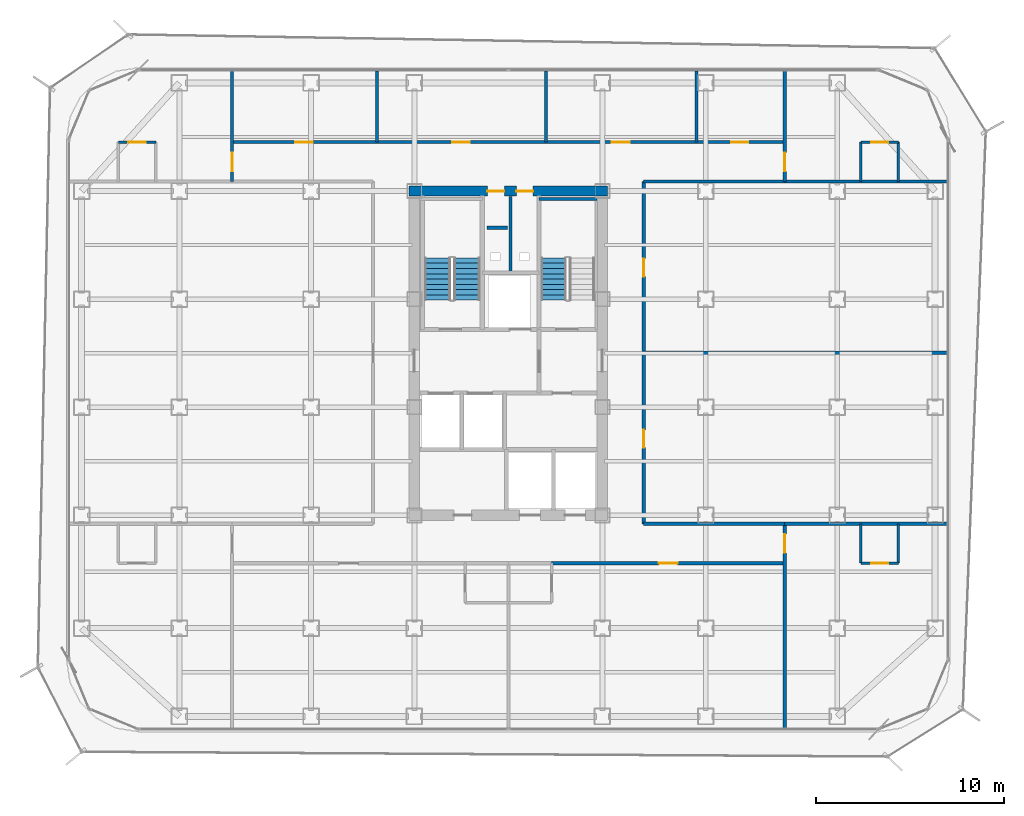
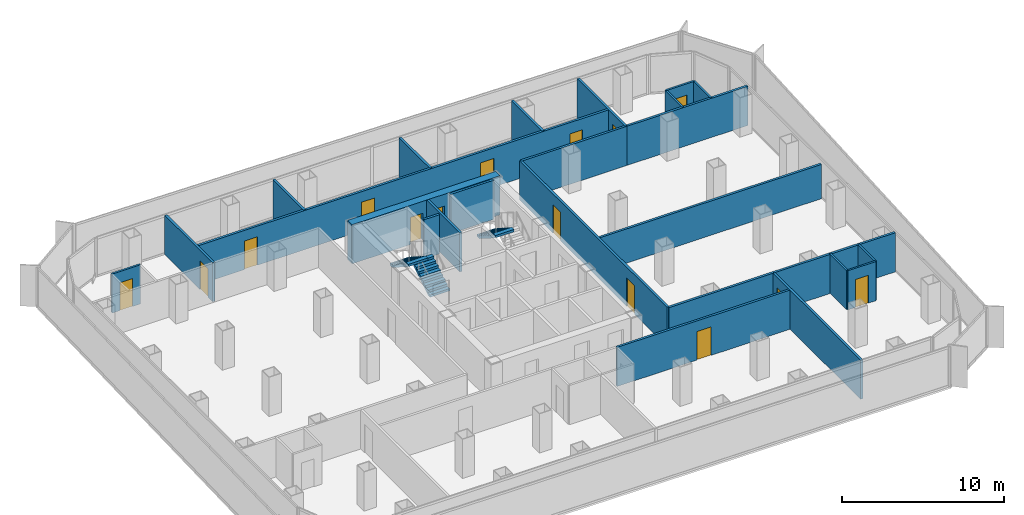
# One storey, part 17 of 21: 25 walls, 15 doors, 3 stair flights, 15 openings, 2 elements without a shape of their own.
"""IFC4 building model written with IfcOpenShell, lengths in metres."""

from ifc_helpers import new_model, si_unit, direction, frame, frame_2d, origin, place, context, subcontext, project, spatial, polyline, rectangle, outline, extrude, material, layer, layer_set, type_object, element, fill, aggregate, save


model = new_model("IFC4")

# Units and contexts
model_context = context("Model", 3, precision=1e-05, world=origin(), true_north=direction((0.0, 1.0)))
body_context = subcontext(model_context, "Body", "Model", "MODEL_VIEW")
ifc_project = project(units=[si_unit("LENGTHUNIT", "METRE"), si_unit("AREAUNIT", "SQUARE_METRE"), si_unit("VOLUMEUNIT", "CUBIC_METRE"), si_unit("PLANEANGLEUNIT", "RADIAN"), si_unit("MASSUNIT", "GRAM", prefix="KILO")], contexts=[model_context])

# Site, building, storey
site_placement = place(None, origin())
site = spatial("IfcSite", under=ifc_project, at=site_placement, CompositionType="ELEMENT")
building_placement = place(site_placement, origin())
building = spatial("IfcBuilding", under=site, at=building_placement, Name="Kolveth Station Tower", CompositionType="ELEMENT")
storey_placement = place(building_placement, frame((0.0, 0.0, 137.5)))
storey = spatial("IfcBuildingStorey", under=building, at=storey_placement, Name="L38", CompositionType="ELEMENT", Elevation=137.5)

# Wall, openings, doors
ifc_material_1 = material(Name="Concrete C60/75", Category="concrete")
ifc_layer_1 = layer(ifc_material_1, 0.550048828125)
ifc_layer_set_1 = layer_set([ifc_layer_1], Name="Concrete C60/75")
wall_type_1 = type_object("IfcWallType", Name="Wall_CW-550", PredefinedType="SHEAR", material=ifc_layer_set_1)
wall_1_placement = place(storey_placement, frame((18.22509765625, 28.75, 0.0), z_axis=(0.0, 0.0, 1.0), x_axis=(1.0, 0.0, 0.0)))
wall_1 = element("IfcWall", 1, at=wall_1_placement, inside=storey, type_object=wall_type_1, Name="L38 Core RC Shear Wall N", PredefinedType="SHEAR", context=body_context, shape_type="SweptSolid", body=[
    extrude(rectangle(XDim=10.5498046875, YDim=0.550048828125, at=frame_2d((5.27490234375, 0.0))), origin(), (0.0, 0.0, 1.0), 2.949951171875),
])
opening_1_placement = place(wall_1_placement, frame((4.155029296875, 0.0, 0.0)))
opening_1 = element("IfcOpeningElement", 2, at=opening_1_placement, cuts=wall_1, Name="Opening RD1", PredefinedType="OPENING", context=body_context, shape_type="SweptSolid", body=[
    extrude(rectangle(XDim=0.89990234375, YDim=2.050048828125, at=frame_2d((0.449951171875, 1.02490234375))), frame((0.0, 0.284912109375, 0.0), z_axis=(0.0, -1.0, 0.0), x_axis=(1.0, 0.0, 0.0)), (0.0, 0.0, 1.0), 0.570068359375),
])
opening_2_placement = place(wall_1_placement, frame((5.695068359375, 0.0, 0.0)))
opening_2 = element("IfcOpeningElement", 3, at=opening_2_placement, cuts=wall_1, Name="Opening RD1", PredefinedType="OPENING", context=body_context, shape_type="SweptSolid", body=[
    extrude(rectangle(XDim=0.89990234375, YDim=2.050048828125, at=frame_2d((0.449951171875, 1.02490234375))), frame((0.0, 0.284912109375, 0.0), z_axis=(0.0, -1.0, 0.0), x_axis=(1.0, 0.0, 0.0)), (0.0, 0.0, 1.0), 0.570068359375),
])
ifc_material_2 = material(Name="Fire-rated Steel S355 riser access leaf", Category="steel")
door_type_1 = type_object("IfcDoorType", Name="Door_RD1", OperationType="NOTDEFINED", PredefinedType="DOOR", material=ifc_material_2)
door_1_placement = place(opening_1_placement, origin())
door_1 = element("IfcDoor", 4, at=door_1_placement, inside=storey, type_object=door_type_1, Name="L38 Electrical Riser Access Door", OperationType="SINGLE_SWING_LEFT", OverallHeight=2.050048828125, OverallWidth=0.89990234375, PredefinedType="DOOR", context=body_context, shape_type="SweptSolid", body=[
    extrude(rectangle(XDim=0.89990234375, YDim=2.050048828125, at=frame_2d((0.449951171875, 1.02490234375))), frame((0.0, 0.02490234375, 0.0), z_axis=(0.0, -1.0, 0.0), x_axis=(1.0, 0.0, 0.0)), (0.0, 0.0, 1.0), 0.050048828125),
])
fill(opening_1, door_1)
door_2_placement = place(opening_2_placement, origin())
door_2 = element("IfcDoor", 5, at=door_2_placement, inside=storey, type_object=door_type_1, Name="L38 Smoke Duct Access Door", OperationType="SINGLE_SWING_RIGHT", OverallHeight=2.050048828125, OverallWidth=0.89990234375, PredefinedType="DOOR", context=body_context, shape_type="SweptSolid", body=[
    extrude(rectangle(XDim=0.89990234375, YDim=2.050048828125, at=frame_2d((0.449951171875, 1.02490234375))), frame((0.0, 0.02490234375, 0.0), z_axis=(0.0, -1.0, 0.0), x_axis=(1.0, 0.0, 0.0)), (0.0, 0.0, 1.0), 0.050048828125),
])
fill(opening_2, door_2)

# Wall, opening, door
ifc_material_3 = material(Name="Moisture-resistant gypsum partition")
ifc_layer_2 = layer(ifc_material_3, 0.135009765625)
ifc_layer_set_2 = layer_set([ifc_layer_2], Name="Moisture-resistant gypsum partition")
wall_type_2 = type_object("IfcWallType", Name="Wall_IW-135", PredefinedType="PARTITIONING", material=ifc_layer_set_2)
wall_2_placement = place(storey_placement, frame((2.75, 31.35009765625, 0.0), z_axis=(0.0, 0.0, 1.0), x_axis=(1.0, 0.0, 0.0)))
wall_2 = element("IfcWall", 6, at=wall_2_placement, inside=storey, type_object=wall_type_2, Name="L38 Partition Wall WL-L38-WS2-BH", PredefinedType="PARTITIONING", context=body_context, shape_type="SweptSolid", body=[
    extrude(rectangle(XDim=2.0, YDim=0.135009765625, at=frame_2d((1.0, 0.0))), origin(), (0.0, 0.0, 1.0), 2.949951171875),
])
opening_3_placement = place(wall_2_placement, frame((0.5400390625, 0.0, 0.0)))
opening_3 = element("IfcOpeningElement", 7, at=opening_3_placement, cuts=wall_2, Name="Opening ID2", PredefinedType="OPENING", context=body_context, shape_type="SweptSolid", body=[
    extrude(rectangle(XDim=0.919921875, YDim=2.10009765625, at=frame_2d((0.4599609375, 1.050048828125))), frame((0.0, 0.077392578125, 0.0), z_axis=(0.0, -1.0, 0.0), x_axis=(1.0, 0.0, 0.0)), (0.0, 0.0, 1.0), 0.155029296875),
])
ifc_material_4 = material(Name="Moisture-resistant hardwood leaf", Category="wood")
door_type_2 = type_object("IfcDoorType", Name="Door_ID2", OperationType="NOTDEFINED", PredefinedType="DOOR", material=ifc_material_4)
door_3_placement = place(opening_3_placement, frame((0.919921875, 0.0, 0.0), z_axis=(0.0, 0.0, 1.0), x_axis=(-1.0, 0.0, 0.0)))
door_3 = element("IfcDoor", 8, at=door_3_placement, inside=storey, type_object=door_type_2, Name="L38 Hotel Guest Room WS2 En-Suite Door", OperationType="SINGLE_SWING_LEFT", OverallHeight=2.10009765625, OverallWidth=0.919921875, PredefinedType="DOOR", context=body_context, shape_type="SweptSolid", body=[
    extrude(rectangle(XDim=0.919921875, YDim=2.10009765625, at=frame_2d((0.4599609375, 1.050048828125))), frame((0.0, 0.02490234375, 0.0), z_axis=(0.0, -1.0, 0.0), x_axis=(1.0, 0.0, 0.0)), (0.0, 0.0, 1.0), 0.050048828125),
])
fill(opening_3, door_3)

# Walls
for number, where, z_axis, x_axis, name in (
    (9, (42.25, 8.949951171875, 0.0), (0.0, 0.0, 1.0), (0.0, 1.0, 0.0), "L38 Partition Wall WL-L38-ES1-BV1"),
    (10, (44.25, 8.949951171875, 0.0), (0.0, 0.0, 1.0), (0.0, 1.0, 0.0), "L38 Partition Wall WL-L38-ES1-BV2"),
):
    element("IfcWall", number, at=place(storey_placement, frame(where, z_axis=z_axis, x_axis=x_axis)), inside=storey, type_object=wall_type_2, Name=name, PredefinedType="PARTITIONING", context=body_context, shape_type="SweptSolid", body=[
        extrude(rectangle(XDim=2.10009765625, YDim=0.135009765625, at=frame_2d((1.050048828125, 0.0))), origin(), (0.0, 0.0, 1.0), 2.949951171875),
    ])

# Wall, opening, door
wall_3_placement = place(storey_placement, frame((42.25, 8.949951171875, 0.0), z_axis=(0.0, 0.0, 1.0), x_axis=(1.0, 0.0, 0.0)))
wall_3 = element("IfcWall", 11, at=wall_3_placement, inside=storey, type_object=wall_type_2, Name="L38 Partition Wall WL-L38-ES1-BH", PredefinedType="PARTITIONING", context=body_context, shape_type="SweptSolid", body=[
    extrude(rectangle(XDim=2.0, YDim=0.135009765625, at=frame_2d((1.0, 0.0))), origin(), (0.0, 0.0, 1.0), 2.949951171875),
])
opening_4_placement = place(wall_3_placement, frame((0.5400390625, 0.0, 0.0)))
opening_4 = element("IfcOpeningElement", 12, at=opening_4_placement, cuts=wall_3, Name="Opening ID2", PredefinedType="OPENING", context=body_context, shape_type="SweptSolid", body=[
    extrude(rectangle(XDim=0.919921875, YDim=2.10009765625, at=frame_2d((0.4599609375, 1.050048828125))), frame((0.0, 0.077392578125, 0.0), z_axis=(0.0, -1.0, 0.0), x_axis=(1.0, 0.0, 0.0)), (0.0, 0.0, 1.0), 0.155029296875),
])
door_4_placement = place(opening_4_placement, origin())
door_4 = element("IfcDoor", 13, at=door_4_placement, inside=storey, type_object=door_type_2, Name="L38 Hotel Corner Suite ES1 En-Suite Door", OperationType="SINGLE_SWING_RIGHT", OverallHeight=2.10009765625, OverallWidth=0.919921875, PredefinedType="DOOR", context=body_context, shape_type="SweptSolid", body=[
    extrude(rectangle(XDim=0.919921875, YDim=2.10009765625, at=frame_2d((0.4599609375, 1.050048828125))), frame((0.0, 0.02490234375, 0.0), z_axis=(0.0, -1.0, 0.0), x_axis=(1.0, 0.0, 0.0)), (0.0, 0.0, 1.0), 0.050048828125),
])
fill(opening_4, door_4)

# Walls
for number, where, z_axis, x_axis, name in (
    (14, (42.25, 29.25, 0.0), (0.0, 0.0, 1.0), (0.0, 1.0, 0.0), "L38 Partition Wall WL-L38-ES2-BV1"),
    (15, (44.25, 29.25, 0.0), (0.0, 0.0, 1.0), (0.0, 1.0, 0.0), "L38 Partition Wall WL-L38-ES2-BV2"),
):
    element("IfcWall", number, at=place(storey_placement, frame(where, z_axis=z_axis, x_axis=x_axis)), inside=storey, type_object=wall_type_2, Name=name, PredefinedType="PARTITIONING", context=body_context, shape_type="SweptSolid", body=[
        extrude(rectangle(XDim=2.10009765625, YDim=0.135009765625, at=frame_2d((1.050048828125, 0.0))), origin(), (0.0, 0.0, 1.0), 2.949951171875),
    ])

# Wall, opening, door
wall_4_placement = place(storey_placement, frame((42.25, 31.35009765625, 0.0), z_axis=(0.0, 0.0, 1.0), x_axis=(1.0, 0.0, 0.0)))
wall_4 = element("IfcWall", 16, at=wall_4_placement, inside=storey, type_object=wall_type_2, Name="L38 Partition Wall WL-L38-ES2-BH", PredefinedType="PARTITIONING", context=body_context, shape_type="SweptSolid", body=[
    extrude(rectangle(XDim=2.0, YDim=0.135009765625, at=frame_2d((1.0, 0.0))), origin(), (0.0, 0.0, 1.0), 2.949951171875),
])
opening_5_placement = place(wall_4_placement, frame((0.5400390625, 0.0, 0.0)))
opening_5 = element("IfcOpeningElement", 17, at=opening_5_placement, cuts=wall_4, Name="Opening ID2", PredefinedType="OPENING", context=body_context, shape_type="SweptSolid", body=[
    extrude(rectangle(XDim=0.919921875, YDim=2.10009765625, at=frame_2d((0.4599609375, 1.050048828125))), frame((0.0, 0.077392578125, 0.0), z_axis=(0.0, -1.0, 0.0), x_axis=(1.0, 0.0, 0.0)), (0.0, 0.0, 1.0), 0.155029296875),
])
door_5_placement = place(opening_5_placement, frame((0.919921875, 0.0, 0.0), z_axis=(0.0, 0.0, 1.0), x_axis=(-1.0, 0.0, 0.0)))
door_5 = element("IfcDoor", 18, at=door_5_placement, inside=storey, type_object=door_type_2, Name="L38 Hotel Corner Suite ES2 En-Suite Door", OperationType="SINGLE_SWING_RIGHT", OverallHeight=2.10009765625, OverallWidth=0.919921875, PredefinedType="DOOR", context=body_context, shape_type="SweptSolid", body=[
    extrude(rectangle(XDim=0.919921875, YDim=2.10009765625, at=frame_2d((0.4599609375, 1.050048828125))), frame((0.0, 0.02490234375, 0.0), z_axis=(0.0, -1.0, 0.0), x_axis=(1.0, 0.0, 0.0)), (0.0, 0.0, 1.0), 0.050048828125),
])
fill(opening_5, door_5)

# Walls
ifc_material_5 = material(Name="Acoustic double-stud gypsum partition")
ifc_layer_3 = layer(ifc_material_5, 0.1650390625)
ifc_layer_set_3 = layer_set([ifc_layer_3], Name="Acoustic double-stud gypsum partition")
wall_type_3 = type_object("IfcWallType", Name="Wall_IW-165", PredefinedType="PARTITIONING", material=ifc_layer_set_3)
wall_5_placement = place(storey_placement, frame((25.1298828125, 28.3349609375, 0.0), z_axis=(0.0, 0.0, 1.0), x_axis=(1.0, 0.0, 0.0)))
element("IfcWall", 19, at=wall_5_placement, inside=storey, type_object=wall_type_3, Name="L38 Stair Shaft Wall WL-L38-ST2-N", PredefinedType="PARTITIONING", context=body_context, shape_type="SweptSolid", body=[
    extrude(rectangle(XDim=3.085205078125, YDim=0.1650390625, at=frame_2d((1.54248046875, 0.0))), origin(), (0.0, 0.0, 1.0), 2.949951171875),
])
wall_6_placement = place(storey_placement, frame((23.6201171875, 24.39990234375, 0.0), z_axis=(0.0, 0.0, 1.0), x_axis=(0.0, 1.0, 0.0)))
element("IfcWall", 20, at=wall_6_placement, inside=storey, type_object=wall_type_3, Name="L38 Partition Wall WL-L38-RSR-M", PredefinedType="PARTITIONING", context=body_context, shape_type="SweptSolid", body=[
    extrude(rectangle(XDim=4.065185546875, YDim=0.1650390625, at=frame_2d((2.03271484375, 0.0))), origin(), (0.0, 0.0, 1.0), 2.949951171875),
])

# Wall, openings, doors
wall_7_placement = place(storey_placement, frame((8.800048828125, 31.35009765625, 0.0), z_axis=(0.0, 0.0, 1.0), x_axis=(1.0, 0.0, 0.0)))
wall_7 = element("IfcWall", 21, at=wall_7_placement, inside=storey, type_object=wall_type_3, Name="L38 Partition Wall WL-L38-HN", PredefinedType="PARTITIONING", context=body_context, shape_type="SweptSolid", body=[
    extrude(rectangle(XDim=29.39990234375, YDim=0.1650390625, at=frame_2d((14.699951171875, 0.0))), origin(), (0.0, 0.0, 1.0), 2.949951171875),
])
opening_6_placement = place(wall_7_placement, frame((3.35009765625, 0.0, 0.0)))
opening_6 = element("IfcOpeningElement", 22, at=opening_6_placement, cuts=wall_7, Name="Opening ID1", PredefinedType="OPENING", context=body_context, shape_type="SweptSolid", body=[
    extrude(rectangle(XDim=0.949951171875, YDim=2.14990234375, at=frame_2d((0.47509765625, 1.074951171875))), frame((0.0, 0.092529296875, 0.0), z_axis=(0.0, -1.0, 0.0), x_axis=(1.0, 0.0, 0.0)), (0.0, 0.0, 1.0), 0.18505859375),
])
opening_7_placement = place(wall_7_placement, frame((11.699951171875, 0.0, 0.0)))
opening_7 = element("IfcOpeningElement", 23, at=opening_7_placement, cuts=wall_7, Name="Opening ID1", PredefinedType="OPENING", context=body_context, shape_type="SweptSolid", body=[
    extrude(rectangle(XDim=0.949951171875, YDim=2.14990234375, at=frame_2d((0.47509765625, 1.074951171875))), frame((0.0, 0.092529296875, 0.0), z_axis=(0.0, -1.0, 0.0), x_axis=(1.0, 0.0, 0.0)), (0.0, 0.0, 1.0), 0.18505859375),
])
opening_8_placement = place(wall_7_placement, frame((20.199951171875, 0.0, 0.0)))
opening_8 = element("IfcOpeningElement", 24, at=opening_8_placement, cuts=wall_7, Name="Opening ID1", PredefinedType="OPENING", context=body_context, shape_type="SweptSolid", body=[
    extrude(rectangle(XDim=0.949951171875, YDim=2.14990234375, at=frame_2d((0.47509765625, 1.074951171875))), frame((0.0, 0.092529296875, 0.0), z_axis=(0.0, -1.0, 0.0), x_axis=(1.0, 0.0, 0.0)), (0.0, 0.0, 1.0), 0.18505859375),
])
opening_9_placement = place(wall_7_placement, frame((26.550048828125, 0.0, 0.0)))
opening_9 = element("IfcOpeningElement", 25, at=opening_9_placement, cuts=wall_7, Name="Opening ID2", PredefinedType="OPENING", context=body_context, shape_type="SweptSolid", body=[
    extrude(rectangle(XDim=0.919921875, YDim=2.10009765625, at=frame_2d((0.4599609375, 1.050048828125))), frame((0.0, 0.092529296875, 0.0), z_axis=(0.0, -1.0, 0.0), x_axis=(1.0, 0.0, 0.0)), (0.0, 0.0, 1.0), 0.18505859375),
])
ifc_material_6 = material(Name="Acoustic hardwood leaf and aluminium frame", Category="wood")
door_type_3 = type_object("IfcDoorType", Name="Door_ID1", OperationType="NOTDEFINED", PredefinedType="DOOR", material=ifc_material_6)
door_6_placement = place(opening_6_placement, origin())
door_6 = element("IfcDoor", 26, at=door_6_placement, inside=storey, type_object=door_type_3, Name="L38 Spa Wellness Suite A Door", OperationType="SINGLE_SWING_LEFT", OverallHeight=2.14990234375, OverallWidth=0.949951171875, PredefinedType="DOOR", context=body_context, shape_type="SweptSolid", body=[
    extrude(rectangle(XDim=0.949951171875, YDim=2.14990234375, at=frame_2d((0.47509765625, 1.074951171875))), frame((0.0, 0.02490234375, 0.0), z_axis=(0.0, -1.0, 0.0), x_axis=(1.0, 0.0, 0.0)), (0.0, 0.0, 1.0), 0.050048828125),
])
fill(opening_6, door_6)
door_7_placement = place(opening_7_placement, origin())
door_7 = element("IfcDoor", 27, at=door_7_placement, inside=storey, type_object=door_type_3, Name="L38 Spa Wellness Suite B Door", OperationType="SINGLE_SWING_LEFT", OverallHeight=2.14990234375, OverallWidth=0.949951171875, PredefinedType="DOOR", context=body_context, shape_type="SweptSolid", body=[
    extrude(rectangle(XDim=0.949951171875, YDim=2.14990234375, at=frame_2d((0.47509765625, 1.074951171875))), frame((0.0, 0.02490234375, 0.0), z_axis=(0.0, -1.0, 0.0), x_axis=(1.0, 0.0, 0.0)), (0.0, 0.0, 1.0), 0.050048828125),
])
fill(opening_7, door_7)
door_8_placement = place(opening_8_placement, origin())
door_8 = element("IfcDoor", 28, at=door_8_placement, inside=storey, type_object=door_type_3, Name="L38 Spa Hydrotherapy Room Door", OperationType="SINGLE_SWING_RIGHT", OverallHeight=2.14990234375, OverallWidth=0.949951171875, PredefinedType="DOOR", context=body_context, shape_type="SweptSolid", body=[
    extrude(rectangle(XDim=0.949951171875, YDim=2.14990234375, at=frame_2d((0.47509765625, 1.074951171875))), frame((0.0, 0.02490234375, 0.0), z_axis=(0.0, -1.0, 0.0), x_axis=(1.0, 0.0, 0.0)), (0.0, 0.0, 1.0), 0.050048828125),
])
fill(opening_8, door_8)
door_9_placement = place(opening_9_placement, origin())
door_9 = element("IfcDoor", 29, at=door_9_placement, inside=storey, type_object=door_type_2, Name="L38 Accessible Guest WC Door", OperationType="SINGLE_SWING_LEFT", OverallHeight=2.10009765625, OverallWidth=0.919921875, PredefinedType="DOOR", context=body_context, shape_type="SweptSolid", body=[
    extrude(rectangle(XDim=0.919921875, YDim=2.10009765625, at=frame_2d((0.4599609375, 1.050048828125))), frame((0.0, 0.02490234375, 0.0), z_axis=(0.0, -1.0, 0.0), x_axis=(1.0, 0.0, 0.0)), (0.0, 0.0, 1.0), 0.050048828125),
])
fill(opening_9, door_9)

# Walls
for number, where, z_axis, x_axis, name in (
    (30, (30.699951171875, 11.050048828125, 0.0), (0.0, 0.0, 1.0), (1.0, 0.0, 0.0), "L38 Partition Wall WL-L38-HSET"),
    (31, (30.699951171875, 29.25, 0.0), (0.0, 0.0, 1.0), (1.0, 0.0, 0.0), "L38 Partition Wall WL-L38-HNEB"),
):
    element("IfcWall", number, at=place(storey_placement, frame(where, z_axis=z_axis, x_axis=x_axis)), inside=storey, type_object=wall_type_3, Name=name, PredefinedType="PARTITIONING", context=body_context, shape_type="SweptSolid", body=[
        extrude(rectangle(XDim=7.5, YDim=0.1650390625, at=frame_2d((3.75, 0.0))), origin(), (0.0, 0.0, 1.0), 2.949951171875),
    ])

# Wall, openings, doors
wall_8_placement = place(storey_placement, frame((30.699951171875, 11.050048828125, 0.0), z_axis=(0.0, 0.0, 1.0), x_axis=(0.0, 1.0, 0.0)))
wall_8 = element("IfcWall", 32, at=wall_8_placement, inside=storey, type_object=wall_type_3, Name="L38 Partition Wall WL-L38-HE", PredefinedType="PARTITIONING", context=body_context, shape_type="SweptSolid", body=[
    extrude(rectangle(XDim=18.199951171875, YDim=0.1650390625, at=frame_2d((9.10009765625, 0.0))), origin(), (0.0, 0.0, 1.0), 2.949951171875),
])
opening_10_placement = place(wall_8_placement, frame((4.050048828125, 0.0, 0.0)))
opening_10 = element("IfcOpeningElement", 33, at=opening_10_placement, cuts=wall_8, Name="Opening ID1", PredefinedType="OPENING", context=body_context, shape_type="SweptSolid", body=[
    extrude(rectangle(XDim=0.949951171875, YDim=2.14990234375, at=frame_2d((0.47509765625, 1.074951171875))), frame((0.0, 0.092529296875, 0.0), z_axis=(0.0, -1.0, 0.0), x_axis=(1.0, 0.0, 0.0)), (0.0, 0.0, 1.0), 0.18505859375),
])
opening_11_placement = place(wall_8_placement, frame((13.14990234375, 0.0, 0.0)))
opening_11 = element("IfcOpeningElement", 34, at=opening_11_placement, cuts=wall_8, Name="Opening ID1", PredefinedType="OPENING", context=body_context, shape_type="SweptSolid", body=[
    extrude(rectangle(XDim=0.949951171875, YDim=2.14990234375, at=frame_2d((0.47509765625, 1.074951171875))), frame((0.0, 0.092529296875, 0.0), z_axis=(0.0, -1.0, 0.0), x_axis=(1.0, 0.0, 0.0)), (0.0, 0.0, 1.0), 0.18505859375),
])
door_10_placement = place(opening_10_placement, origin())
door_10 = element("IfcDoor", 35, at=door_10_placement, inside=storey, type_object=door_type_3, Name="L38 Guest Study East Door", OperationType="SINGLE_SWING_LEFT", OverallHeight=2.14990234375, OverallWidth=0.949951171875, PredefinedType="DOOR", context=body_context, shape_type="SweptSolid", body=[
    extrude(rectangle(XDim=0.949951171875, YDim=2.14990234375, at=frame_2d((0.47509765625, 1.074951171875))), frame((0.0, 0.02490234375, 0.0), z_axis=(0.0, -1.0, 0.0), x_axis=(1.0, 0.0, 0.0)), (0.0, 0.0, 1.0), 0.050048828125),
])
fill(opening_10, door_10)
door_11_placement = place(opening_11_placement, origin())
door_11 = element("IfcDoor", 36, at=door_11_placement, inside=storey, type_object=door_type_3, Name="L38 Hotel Guest Lounge Door", OperationType="SINGLE_SWING_RIGHT", OverallHeight=2.14990234375, OverallWidth=0.949951171875, PredefinedType="DOOR", context=body_context, shape_type="SweptSolid", body=[
    extrude(rectangle(XDim=0.949951171875, YDim=2.14990234375, at=frame_2d((0.47509765625, 1.074951171875))), frame((0.0, 0.02490234375, 0.0), z_axis=(0.0, -1.0, 0.0), x_axis=(1.0, 0.0, 0.0)), (0.0, 0.0, 1.0), 0.050048828125),
])
fill(opening_11, door_11)

# Wall, opening, door
wall_9_placement = place(storey_placement, frame((8.800048828125, 29.25, 0.0), z_axis=(0.0, 0.0, 1.0), x_axis=(0.0, 1.0, 0.0)))
wall_9 = element("IfcWall", 37, at=wall_9_placement, inside=storey, type_object=wall_type_3, Name="L38 Partition Wall WL-L38-END-WN", PredefinedType="PARTITIONING", context=body_context, shape_type="SweptSolid", body=[
    extrude(rectangle(XDim=5.889892578125, YDim=0.1650390625, at=frame_2d((2.94482421875, 0.0))), origin(), (0.0, 0.0, 1.0), 2.949951171875),
])
opening_12_placement = place(wall_9_placement, frame((0.550048828125, 0.0, 0.0)))
opening_12 = element("IfcOpeningElement", 38, at=opening_12_placement, cuts=wall_9, Name="Opening FD3", PredefinedType="OPENING", context=body_context, shape_type="SweptSolid", body=[
    extrude(rectangle(XDim=1.0, YDim=2.14990234375, at=frame_2d((0.5, 1.074951171875))), frame((0.0, 0.092529296875, 0.0), z_axis=(0.0, -1.0, 0.0), x_axis=(1.0, 0.0, 0.0)), (0.0, 0.0, 1.0), 0.18505859375),
])
ifc_material_7 = material(Name="Fire-rated hardwood leaf and aluminium frame", Category="wood")
door_type_4 = type_object("IfcDoorType", Name="Door_FD3", OperationType="NOTDEFINED", PredefinedType="DOOR", material=ifc_material_7)
door_12_placement = place(opening_12_placement, origin())
door_12 = element("IfcDoor", 39, at=door_12_placement, inside=storey, type_object=door_type_4, Name="L38 Hotel Guest Room WS2 Entrance Door", OperationType="SINGLE_SWING_LEFT", OverallHeight=2.14990234375, OverallWidth=1.0, PredefinedType="DOOR", context=body_context, shape_type="SweptSolid", body=[
    extrude(rectangle(XDim=1.0, YDim=2.14990234375, at=frame_2d((0.5, 1.074951171875))), frame((0.0, 0.02490234375, 0.0), z_axis=(0.0, -1.0, 0.0), x_axis=(1.0, 0.0, 0.0)), (0.0, 0.0, 1.0), 0.050048828125),
])
fill(opening_12, door_12)

wall_10_placement = place(storey_placement, frame((38.199951171875, 0.159912109375, 0.0), z_axis=(0.0, 0.0, 1.0), x_axis=(0.0, 1.0, 0.0)))
wall_10 = element("IfcWall", 40, at=wall_10_placement, inside=storey, type_object=wall_type_3, Name="L38 Partition Wall WL-L38-END-ES", PredefinedType="PARTITIONING", context=body_context, shape_type="SweptSolid", body=[
    extrude(rectangle(XDim=10.89013671875, YDim=0.1650390625, at=frame_2d((5.445068359375, 0.0))), origin(), (0.0, 0.0, 1.0), 2.949951171875),
])
opening_13_placement = place(wall_10_placement, frame((9.340087890625, 0.0, 0.0)))
opening_13 = element("IfcOpeningElement", 41, at=opening_13_placement, cuts=wall_10, Name="Opening FD3", PredefinedType="OPENING", context=body_context, shape_type="SweptSolid", body=[
    extrude(rectangle(XDim=1.0, YDim=2.14990234375, at=frame_2d((0.5, 1.074951171875))), frame((0.0, 0.092529296875, 0.0), z_axis=(0.0, -1.0, 0.0), x_axis=(1.0, 0.0, 0.0)), (0.0, 0.0, 1.0), 0.18505859375),
])
door_13_placement = place(opening_13_placement, frame((1.0, 0.0, 0.0), z_axis=(0.0, 0.0, 1.0), x_axis=(-1.0, 0.0, 0.0)))
door_13 = element("IfcDoor", 42, at=door_13_placement, inside=storey, type_object=door_type_4, Name="L38 Hotel Corner Suite ES1 Entrance Door", OperationType="SINGLE_SWING_LEFT", OverallHeight=2.14990234375, OverallWidth=1.0, PredefinedType="DOOR", context=body_context, shape_type="SweptSolid", body=[
    extrude(rectangle(XDim=1.0, YDim=2.14990234375, at=frame_2d((0.5, 1.074951171875))), frame((0.0, 0.02490234375, 0.0), z_axis=(0.0, -1.0, 0.0), x_axis=(1.0, 0.0, 0.0)), (0.0, 0.0, 1.0), 0.050048828125),
])
fill(opening_13, door_13)

wall_11_placement = place(storey_placement, frame((38.199951171875, 29.25, 0.0), z_axis=(0.0, 0.0, 1.0), x_axis=(0.0, 1.0, 0.0)))
wall_11 = element("IfcWall", 43, at=wall_11_placement, inside=storey, type_object=wall_type_3, Name="L38 Partition Wall WL-L38-END-EN", PredefinedType="PARTITIONING", context=body_context, shape_type="SweptSolid", body=[
    extrude(rectangle(XDim=5.889892578125, YDim=0.1650390625, at=frame_2d((2.94482421875, 0.0))), origin(), (0.0, 0.0, 1.0), 2.949951171875),
])
opening_14_placement = place(wall_11_placement, frame((0.550048828125, 0.0, 0.0)))
opening_14 = element("IfcOpeningElement", 44, at=opening_14_placement, cuts=wall_11, Name="Opening FD3", PredefinedType="OPENING", context=body_context, shape_type="SweptSolid", body=[
    extrude(rectangle(XDim=1.0, YDim=2.14990234375, at=frame_2d((0.5, 1.074951171875))), frame((0.0, 0.092529296875, 0.0), z_axis=(0.0, -1.0, 0.0), x_axis=(1.0, 0.0, 0.0)), (0.0, 0.0, 1.0), 0.18505859375),
])
door_14_placement = place(opening_14_placement, frame((1.0, 0.0, 0.0), z_axis=(0.0, 0.0, 1.0), x_axis=(-1.0, 0.0, 0.0)))
door_14 = element("IfcDoor", 45, at=door_14_placement, inside=storey, type_object=door_type_4, Name="L38 Hotel Corner Suite ES2 Entrance Door", OperationType="SINGLE_SWING_LEFT", OverallHeight=2.14990234375, OverallWidth=1.0, PredefinedType="DOOR", context=body_context, shape_type="SweptSolid", body=[
    extrude(rectangle(XDim=1.0, YDim=2.14990234375, at=frame_2d((0.5, 1.074951171875))), frame((0.0, 0.02490234375, 0.0), z_axis=(0.0, -1.0, 0.0), x_axis=(1.0, 0.0, 0.0)), (0.0, 0.0, 1.0), 0.050048828125),
])
fill(opening_14, door_14)

# Walls
for number, where, z_axis, x_axis, name in (
    (46, (38.199951171875, 11.050048828125, 0.0), (0.0, 0.0, 1.0), (1.0, 0.0, 0.0), "L38 Partition Wall WL-L38-EM1"),
    (47, (38.199951171875, 29.25, 0.0), (0.0, 0.0, 1.0), (1.0, 0.0, 0.0), "L38 Partition Wall WL-L38-EM2"),
):
    element("IfcWall", number, at=place(storey_placement, frame(where, z_axis=z_axis, x_axis=x_axis)), inside=storey, type_object=wall_type_3, Name=name, PredefinedType="PARTITIONING", context=body_context, shape_type="SweptSolid", body=[
        extrude(rectangle(XDim=8.64013671875, YDim=0.1650390625, at=frame_2d((4.320068359375, 0.0))), origin(), (0.0, 0.0, 1.0), 2.949951171875),
    ])

# Wall, opening, door
wall_12_placement = place(storey_placement, frame((25.800048828125, 8.949951171875, 0.0), z_axis=(0.0, 0.0, 1.0), x_axis=(1.0, 0.0, 0.0)))
wall_12 = element("IfcWall", 48, at=wall_12_placement, inside=storey, type_object=wall_type_3, Name="L38 Partition Wall WL-L38-HS2-RCOR", PredefinedType="PARTITIONING", context=body_context, shape_type="SweptSolid", body=[
    extrude(rectangle(XDim=12.39990234375, YDim=0.1650390625, at=frame_2d((6.199951171875, 0.0))), origin(), (0.0, 0.0, 1.0), 2.949951171875),
])
opening_15_placement = place(wall_12_placement, frame((5.699951171875, 0.0, 0.0)))
opening_15 = element("IfcOpeningElement", 49, at=opening_15_placement, cuts=wall_12, Name="Opening FD3", PredefinedType="OPENING", context=body_context, shape_type="SweptSolid", body=[
    extrude(rectangle(XDim=1.0, YDim=2.14990234375, at=frame_2d((0.5, 1.074951171875))), frame((0.0, 0.092529296875, 0.0), z_axis=(0.0, -1.0, 0.0), x_axis=(1.0, 0.0, 0.0)), (0.0, 0.0, 1.0), 0.18505859375),
])
door_15_placement = place(opening_15_placement, frame((1.0, 0.0, 0.0), z_axis=(0.0, 0.0, 1.0), x_axis=(-1.0, 0.0, 0.0)))
door_15 = element("IfcDoor", 50, at=door_15_placement, inside=storey, type_object=door_type_4, Name="L38 Hotel Corner Suite HS2 Entrance Door", OperationType="SINGLE_SWING_LEFT", OverallHeight=2.14990234375, OverallWidth=1.0, PredefinedType="DOOR", context=body_context, shape_type="SweptSolid", body=[
    extrude(rectangle(XDim=1.0, YDim=2.14990234375, at=frame_2d((0.5, 1.074951171875))), frame((0.0, 0.02490234375, 0.0), z_axis=(0.0, -1.0, 0.0), x_axis=(1.0, 0.0, 0.0)), (0.0, 0.0, 1.0), 0.050048828125),
])
fill(opening_15, door_15)

# Walls
for number, where, z_axis, x_axis, name in (
    (51, (16.5, 31.35009765625, 0.0), (0.0, 0.0, 1.0), (0.0, 1.0, 0.0), "L38 Partition Wall WL-L38-HN-P1"),
    (52, (25.5, 31.35009765625, 0.0), (0.0, 0.0, 1.0), (0.0, 1.0, 0.0), "L38 Partition Wall WL-L38-HN-P2"),
    (53, (33.5, 31.35009765625, 0.0), (0.0, 0.0, 1.0), (0.0, 1.0, 0.0), "L38 Partition Wall WL-L38-HN-P3"),
):
    element("IfcWall", number, at=place(storey_placement, frame(where, z_axis=z_axis, x_axis=x_axis)), inside=storey, type_object=wall_type_3, Name=name, PredefinedType="PARTITIONING", context=body_context, shape_type="SweptSolid", body=[
        extrude(rectangle(XDim=3.789794921875, YDim=0.1650390625, at=frame_2d((1.89501953125, 0.0))), origin(), (0.0, 0.0, 1.0), 2.949951171875),
    ])
wall_13_placement = place(storey_placement, frame((30.699951171875, 20.14990234375, 0.0), z_axis=(0.0, 0.0, 1.0), x_axis=(1.0, 0.0, 0.0)))
element("IfcWall", 54, at=wall_13_placement, inside=storey, type_object=wall_type_3, Name="L38 Partition Wall WL-L38-HME-P1", PredefinedType="PARTITIONING", context=body_context, shape_type="SweptSolid", body=[
    extrude(rectangle(XDim=16.14013671875, YDim=0.1650390625, at=frame_2d((8.070068359375, 0.0))), origin(), (0.0, 0.0, 1.0), 2.5830078125),
])
wall_14_placement = place(storey_placement, frame((22.35009765625, 26.800048828125, 0.0), z_axis=(0.0, 0.0, 1.0), x_axis=(1.0, 0.0, 0.0)))
element("IfcWall", 55, at=wall_14_placement, inside=storey, type_object=wall_type_3, Name="L38 Acoustic Riser Dry-Lining Wall", PredefinedType="PARTITIONING", context=body_context, shape_type="SweptSolid", body=[
    extrude(rectangle(XDim=1.099853515625, YDim=0.1650390625, at=frame_2d((0.5498046875, 0.0))), origin(), (0.0, 0.0, 1.0), 2.949951171875),
])

# Stair, stair flights
ifc_material_8 = material(Name="Concrete C40/50", Category="concrete")
stair_type_1 = type_object("IfcStairType", Name="Stair_ST1", PredefinedType="HALF_TURN_STAIR", material=ifc_material_8)
stair_1_placement = place(storey_placement, origin())
stair_1 = element("IfcStair", 56, at=stair_1_placement, inside=storey, type_object=stair_type_1, Name="L38 Tower Exit Stair ST1", PredefinedType="HALF_TURN_STAIR")
ifc_layer_4 = layer(ifc_material_8, 0.179931640625)
ifc_layer_set_4 = layer_set([ifc_layer_4], Name="Concrete C40/50")
stair_flight_type_1 = type_object("IfcStairFlightType", Name="Flight_ST1", PredefinedType="STRAIGHT", material=ifc_layer_set_4)
stair_flight_1_placement = place(storey_placement, frame((21.300048828125, 22.949951171875, 0.0), z_axis=(0.0, 0.0, 1.0), x_axis=(0.0, 1.0, 0.0)))
stair_flight_1 = element("IfcStairFlight", 57, at=stair_flight_1_placement, type_object=stair_flight_type_1, Name="ST1 flight 1", NumberOfRisers=9, NumberOfTreads=8, PredefinedType="STRAIGHT", RiserHeight=0.177777778, TreadLength=0.28, context=body_context, shape_type="SweptSolid", body=[
    extrude(outline(polyline([(0.0, 0.0), (0.0, 0.177734375), (0.280029296875, 0.177734375), (0.280029296875, 0.35546875), (0.56005859375, 0.35546875), (0.56005859375, 0.533447265625), (0.840087890625, 0.533447265625), (0.840087890625, 0.711181640625), (1.1201171875, 0.711181640625), (1.1201171875, 0.888916015625), (1.39990234375, 0.888916015625), (1.39990234375, 1.066650390625), (1.679931640625, 1.066650390625), (1.679931640625, 1.244384765625), (1.9599609375, 1.244384765625), (1.9599609375, 1.422119140625), (2.239990234375, 1.422119140625), (2.239990234375, 1.60009765625), (2.239990234375, 1.24462890625), (0.27978515625, 0.0), (0.0, 0.0)])), frame((0.0, 0.699951171875, 0.0), z_axis=(0.0, -1.0, 0.0), x_axis=(1.0, 0.0, 0.0)), (0.0, 0.0, 1.0), 1.39990234375),
])
stair_flight_2_placement = place(storey_placement, frame((19.739990234375, 25.18994140625, 1.60009765625), z_axis=(0.0, 0.0, 1.0), x_axis=(0.0, -1.0, 0.0)))
stair_flight_2 = element("IfcStairFlight", 58, at=stair_flight_2_placement, type_object=stair_flight_type_1, Name="ST1 flight 2", NumberOfRisers=9, NumberOfTreads=8, PredefinedType="STRAIGHT", RiserHeight=0.177777778, TreadLength=0.28, context=body_context, shape_type="SweptSolid", body=[
    extrude(outline(polyline([(0.0, 0.0), (0.0, 0.177734375), (0.280029296875, 0.177734375), (0.280029296875, 0.35546875), (0.56005859375, 0.35546875), (0.56005859375, 0.533447265625), (0.840087890625, 0.533447265625), (0.840087890625, 0.711181640625), (1.1201171875, 0.711181640625), (1.1201171875, 0.888916015625), (1.39990234375, 0.888916015625), (1.39990234375, 1.066650390625), (1.679931640625, 1.066650390625), (1.679931640625, 1.244384765625), (1.9599609375, 1.244384765625), (1.9599609375, 1.422119140625), (2.239990234375, 1.422119140625), (2.239990234375, 1.60009765625), (2.239990234375, 1.24462890625), (0.27978515625, 0.0), (0.0, 0.0)])), frame((0.0, 0.699951171875, 0.0), z_axis=(0.0, -1.0, 0.0), x_axis=(1.0, 0.0, 0.0)), (0.0, 0.0, 1.0), 1.39990234375),
])
aggregate(stair_1, [stair_flight_1, stair_flight_2])

# Stair, stair flight
stair_type_2 = type_object("IfcStairType", Name="Stair_ST2", PredefinedType="HALF_TURN_STAIR", material=ifc_material_8)
stair_2_placement = place(storey_placement, origin())
stair_2 = element("IfcStair", 59, at=stair_2_placement, inside=storey, type_object=stair_type_2, Name="L38 Tower Exit Stair ST2", PredefinedType="HALF_TURN_STAIR")
ifc_layer_5 = layer(ifc_material_8, 0.179931640625)
ifc_layer_set_5 = layer_set([ifc_layer_5], Name="Concrete C40/50")
stair_flight_type_2 = type_object("IfcStairFlightType", Name="Flight_ST2", PredefinedType="STRAIGHT", material=ifc_layer_set_5)
stair_flight_3_placement = place(storey_placement, frame((25.9150390625, 25.18994140625, 1.60009765625), z_axis=(0.0, 0.0, 1.0), x_axis=(0.0, -1.0, 0.0)))
stair_flight_3 = element("IfcStairFlight", 60, at=stair_flight_3_placement, type_object=stair_flight_type_2, Name="ST2 flight 2", NumberOfRisers=9, NumberOfTreads=8, PredefinedType="STRAIGHT", RiserHeight=0.177777778, TreadLength=0.28, context=body_context, shape_type="SweptSolid", body=[
    extrude(outline(polyline([(0.0, 0.0), (0.0, 0.177734375), (0.280029296875, 0.177734375), (0.280029296875, 0.35546875), (0.56005859375, 0.35546875), (0.56005859375, 0.533447265625), (0.840087890625, 0.533447265625), (0.840087890625, 0.711181640625), (1.1201171875, 0.711181640625), (1.1201171875, 0.888916015625), (1.39990234375, 0.888916015625), (1.39990234375, 1.066650390625), (1.679931640625, 1.066650390625), (1.679931640625, 1.244384765625), (1.9599609375, 1.244384765625), (1.9599609375, 1.422119140625), (2.239990234375, 1.422119140625), (2.239990234375, 1.60009765625), (2.239990234375, 1.24462890625), (0.27978515625, 0.0), (0.0, 0.0)])), frame((0.0, 0.675048828125, 0.0), z_axis=(0.0, -1.0, 0.0), x_axis=(1.0, 0.0, 0.0)), (0.0, 0.0, 1.0), 1.35009765625),
])
aggregate(stair_2, [stair_flight_3])

save(model, "model.ifc")
